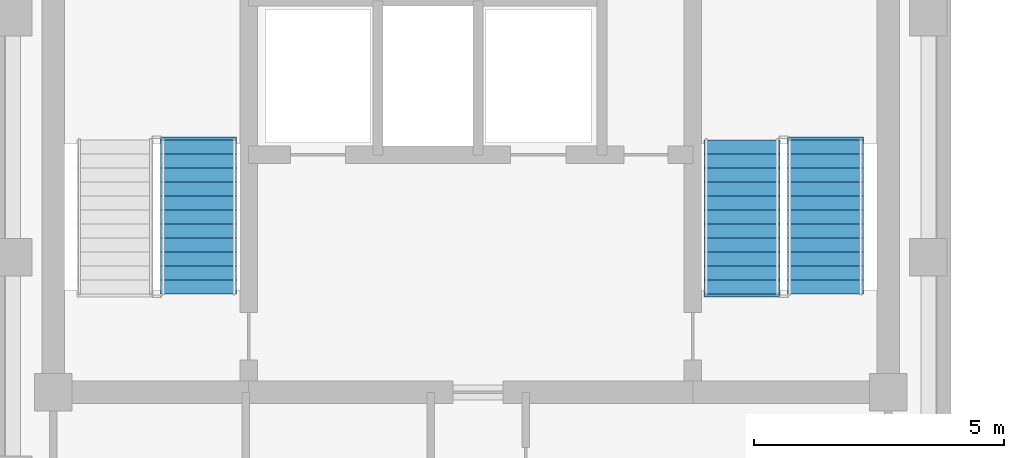
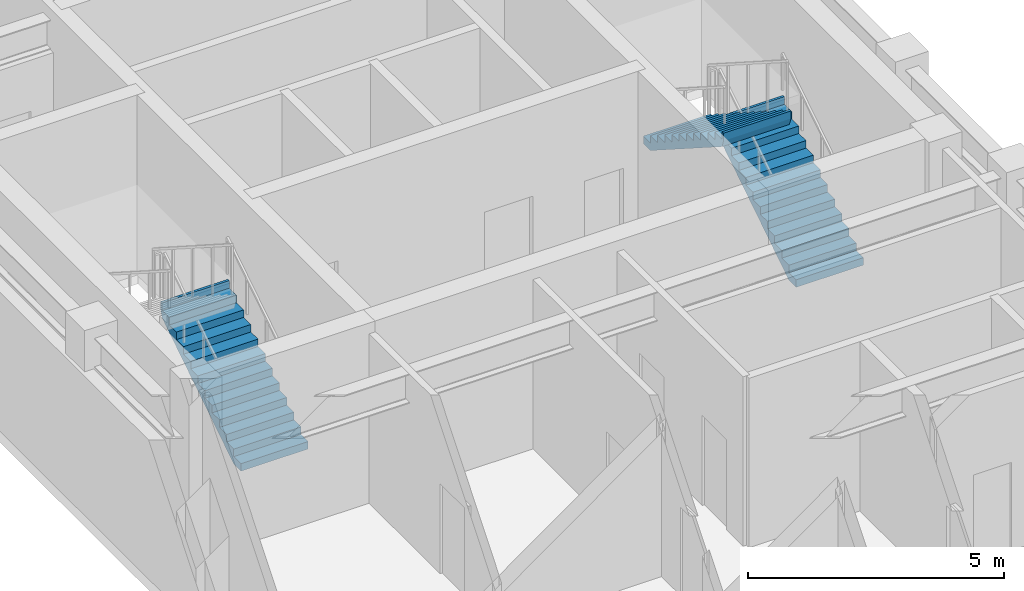
# One storey, part 5 of 6: 3 stair flights, 2 elements without a shape of their own.
"""IFC4 building model written with IfcOpenShell, lengths in metres."""

from ifc_helpers import new_model, si_unit, direction, frame, origin, place, context, subcontext, project, spatial, polyline, outline, extrude, material, type_object, element, aggregate, save


model = new_model("IFC4")

# Units and contexts
model_context = context("Model", 3, precision=1e-05, world=origin(), true_north=direction((0.0, 1.0)))
body_context = subcontext(model_context, "Body", "Model", "MODEL_VIEW")
ifc_project = project(units=[si_unit("LENGTHUNIT", "METRE"), si_unit("AREAUNIT", "SQUARE_METRE"), si_unit("VOLUMEUNIT", "CUBIC_METRE"), si_unit("PLANEANGLEUNIT", "RADIAN"), si_unit("MASSUNIT", "GRAM", prefix="KILO")], contexts=[model_context])

# Site, building, storey
site_placement = place(None, origin())
site = spatial("IfcSite", under=ifc_project, at=site_placement, CompositionType="ELEMENT")
building_placement = place(site_placement, origin())
building = spatial("IfcBuilding", under=site, at=building_placement, Name="Orvandelia Arch Residences", CompositionType="ELEMENT")
storey_placement = place(building_placement, frame((0.0, 0.0, 265.60009765625)))
storey = spatial("IfcBuildingStorey", under=building, at=storey_placement, Name="L69", CompositionType="ELEMENT", Elevation=265.60009765625)

# Stair, stair flight
ifc_material = material(Name="Concrete C40/50", Category="concrete")
stair_type = type_object("IfcStairType", Name="STAIR-RC-DOGLEG", PredefinedType="HALF_TURN_STAIR", material=ifc_material)
stair_1_placement = place(storey_placement, origin())
stair_1 = element("IfcStair", 1, at=stair_1_placement, inside=storey, type_object=stair_type, Name="L69 Protected Exit Stair ST-1", PredefinedType="HALF_TURN_STAIR")
stair_flight_type = type_object("IfcStairFlightType", Name="STFLT-RC-1520", PredefinedType="STRAIGHT", material=ifc_material)
stair_flight_1_placement = place(storey_placement, frame((8.9599609375, 32.8701171875, 0.0), z_axis=(0.0, 0.0, 1.0), x_axis=(0.0, 1.0, 0.0)))
stair_flight_1 = element("IfcStairFlight", 2, at=stair_flight_1_placement, type_object=stair_flight_type, Name="ST-1 flight 1", NumberOfRisers=12, NumberOfTreads=11, PredefinedType="STRAIGHT", RiserHeight=0.179166667, TreadLength=0.28, context=body_context, shape_type="SweptSolid", body=[
    extrude(outline(polyline([(0.0, 0.0), (0.0, 0.17919921875), (0.280029296875, 0.17919921875), (0.280029296875, 0.3583984375), (0.56005859375, 0.3583984375), (0.56005859375, 0.53759765625), (0.840087890625, 0.53759765625), (0.840087890625, 0.716552734375), (1.1201171875, 0.716552734375), (1.1201171875, 0.895751953125), (1.39990234375, 0.895751953125), (1.39990234375, 1.074951171875), (1.679931640625, 1.074951171875), (1.679931640625, 1.254150390625), (1.9599609375, 1.254150390625), (1.9599609375, 1.433349609375), (2.239990234375, 1.433349609375), (2.239990234375, 1.612548828125), (2.52001953125, 1.612548828125), (2.52001953125, 1.791748046875), (2.800048828125, 1.791748046875), (2.800048828125, 1.970947265625), (3.080078125, 1.970947265625), (3.080078125, 2.14990234375), (3.139892578125, 2.14990234375), (3.139892578125, 1.969970703125), (3.080078125, 1.79296875), (0.278076171875, 0.0), (0.0, 0.0)])), frame((0.0, 0.760009765625, 0.0), z_axis=(0.0, -1.0, 0.0), x_axis=(1.0, 0.0, 0.0)), (0.0, 0.0, 1.0), 1.52001953125),
])
aggregate(stair_1, [stair_flight_1])

# Stair, stair flights
stair_2_placement = place(storey_placement, origin())
stair_2 = element("IfcStair", 3, at=stair_2_placement, inside=storey, type_object=stair_type, Name="L69 Protected Exit Stair ST-2", PredefinedType="HALF_TURN_STAIR")
stair_flight_2_placement = place(storey_placement, frame((21.489990234375, 32.8701171875, 0.0), z_axis=(0.0, 0.0, 1.0), x_axis=(0.0, 1.0, 0.0)))
stair_flight_2 = element("IfcStairFlight", 4, at=stair_flight_2_placement, type_object=stair_flight_type, Name="ST-2 flight 1", NumberOfRisers=12, NumberOfTreads=11, PredefinedType="STRAIGHT", RiserHeight=0.179166667, TreadLength=0.28, context=body_context, shape_type="SweptSolid", body=[
    extrude(outline(polyline([(0.0, 0.0), (0.0, 0.17919921875), (0.280029296875, 0.17919921875), (0.280029296875, 0.3583984375), (0.56005859375, 0.3583984375), (0.56005859375, 0.53759765625), (0.840087890625, 0.53759765625), (0.840087890625, 0.716552734375), (1.1201171875, 0.716552734375), (1.1201171875, 0.895751953125), (1.39990234375, 0.895751953125), (1.39990234375, 1.074951171875), (1.679931640625, 1.074951171875), (1.679931640625, 1.254150390625), (1.9599609375, 1.254150390625), (1.9599609375, 1.433349609375), (2.239990234375, 1.433349609375), (2.239990234375, 1.612548828125), (2.52001953125, 1.612548828125), (2.52001953125, 1.791748046875), (2.800048828125, 1.791748046875), (2.800048828125, 1.970947265625), (3.080078125, 1.970947265625), (3.080078125, 2.14990234375), (3.139892578125, 2.14990234375), (3.139892578125, 1.969970703125), (3.080078125, 1.79296875), (0.278076171875, 0.0), (0.0, 0.0)])), frame((0.0, 0.760009765625, 0.0), z_axis=(0.0, -1.0, 0.0), x_axis=(1.0, 0.0, 0.0)), (0.0, 0.0, 1.0), 1.52001953125),
])
stair_flight_3_placement = place(storey_placement, frame((19.820068359375, 35.949951171875, 2.14990234375), z_axis=(0.0, 0.0, 1.0), x_axis=(0.0, -1.0, 0.0)))
stair_flight_3 = element("IfcStairFlight", 5, at=stair_flight_3_placement, type_object=stair_flight_type, Name="ST-2 flight 2", NumberOfRisers=12, NumberOfTreads=11, PredefinedType="STRAIGHT", RiserHeight=0.179166667, TreadLength=0.28, context=body_context, shape_type="SweptSolid", body=[
    extrude(outline(polyline([(0.0, 0.0), (0.0, 0.17919921875), (0.280029296875, 0.17919921875), (0.280029296875, 0.3583984375), (0.56005859375, 0.3583984375), (0.56005859375, 0.53759765625), (0.840087890625, 0.53759765625), (0.840087890625, 0.716552734375), (1.1201171875, 0.716552734375), (1.1201171875, 0.895751953125), (1.39990234375, 0.895751953125), (1.39990234375, 1.074951171875), (1.679931640625, 1.074951171875), (1.679931640625, 1.254150390625), (1.9599609375, 1.254150390625), (1.9599609375, 1.433349609375), (2.239990234375, 1.433349609375), (2.239990234375, 1.612548828125), (2.52001953125, 1.612548828125), (2.52001953125, 1.791748046875), (2.800048828125, 1.791748046875), (2.800048828125, 1.970947265625), (3.080078125, 1.970947265625), (3.080078125, 2.14990234375), (3.139892578125, 2.14990234375), (3.139892578125, 1.969970703125), (3.080078125, 1.79296875), (0.278076171875, 0.0), (0.0, 0.0)])), frame((0.0, 0.760009765625, 0.0), z_axis=(0.0, -1.0, 0.0), x_axis=(1.0, 0.0, 0.0)), (0.0, 0.0, 1.0), 1.52001953125),
])
aggregate(stair_2, [stair_flight_2, stair_flight_3])

save(model, "model.ifc")
